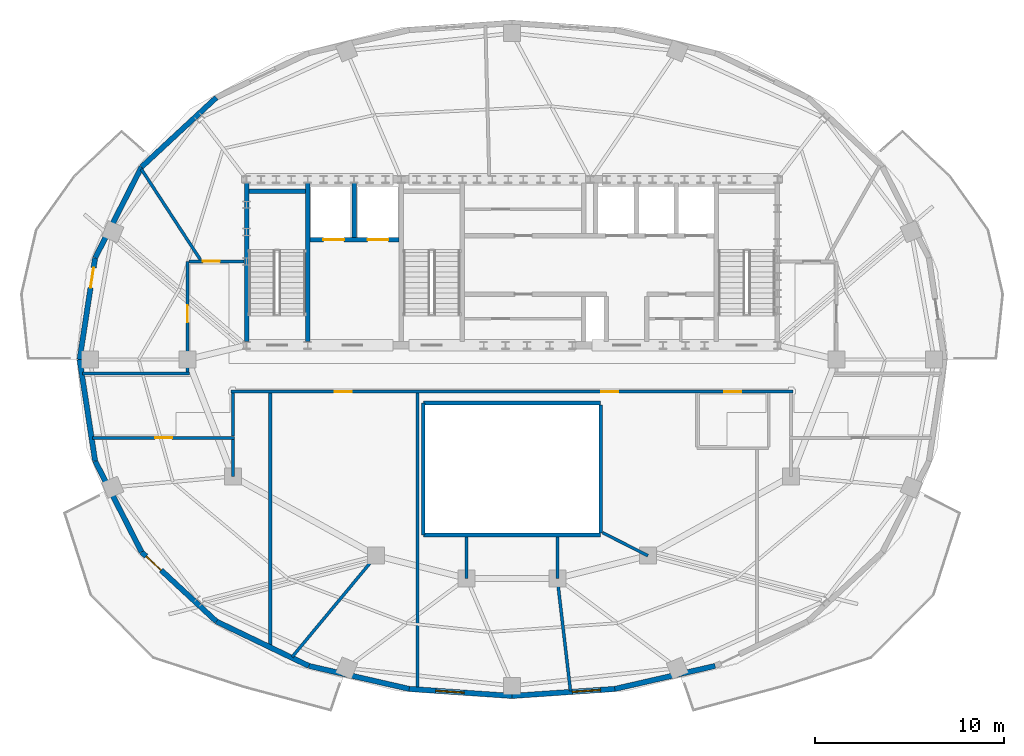
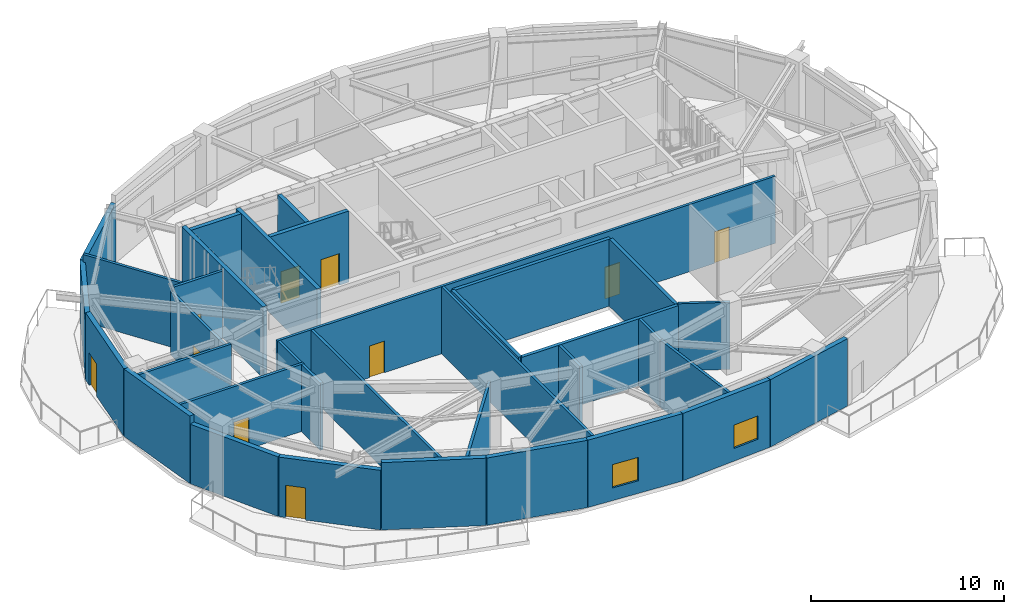
# One storey, part 3 of 9: 35 walls, 10 doors, 2 windows, 12 openings.
"""IFC4 building model written with IfcOpenShell, lengths in metres."""

from ifc_helpers import new_model, si_unit, direction, frame, frame_2d, origin, place, context, subcontext, project, spatial, rectangle, extrude, material, layer, layer_set, type_object, element, fill, save


model = new_model("IFC4")

# Units and contexts
model_context = context("Model", 3, precision=1e-05, world=origin(), true_north=direction((0.0, 1.0)))
body_context = subcontext(model_context, "Body", "Model", "MODEL_VIEW")
ifc_project = project(units=[si_unit("LENGTHUNIT", "METRE"), si_unit("AREAUNIT", "SQUARE_METRE"), si_unit("VOLUMEUNIT", "CUBIC_METRE"), si_unit("PLANEANGLEUNIT", "RADIAN"), si_unit("MASSUNIT", "GRAM", prefix="KILO")], contexts=[model_context])

# Site, building, storey
site_placement = place(None, origin())
site = spatial("IfcSite", under=ifc_project, at=site_placement, CompositionType="ELEMENT")
building_placement = place(site_placement, origin())
building = spatial("IfcBuilding", under=site, at=building_placement, Name="Haldorwick Loom Tower", CompositionType="ELEMENT")
storey_placement = place(building_placement, frame((0.0, 0.0, 277.5)))
storey = spatial("IfcBuildingStorey", under=building, at=storey_placement, Name="L75", CompositionType="ELEMENT", Elevation=277.5)

# Walls
ifc_material_1 = material(Name="Pressed Clay Face Brick and Insulated Masonry Backup Assembly", Category="masonry")
ifc_layer_1 = layer(ifc_material_1, 0.280029296875, Name="Pressed Clay Face Brick and Insulated Masonry Backup Assembly", Category="masonry")
ifc_layer_set_1 = layer_set([ifc_layer_1], Name="Pressed Clay Face Brick and Insulated Masonry Backup Assembly")
wall_type_1 = type_object("IfcWallType", Name="ARC-WL-EXT280", PredefinedType="STANDARD", material=ifc_layer_set_1)
for number, where, z_axis, x_axis, name in (
    (1, (20.3291015625, 39.885009765625, 0.0), (0.0, 0.0, 1.0), (-0.733156506145, -0.680059951399, 0.0), "L75 Brick Pier and Spandrel Wall 10"),
    (2, (16.361328125, 36.20458984375, 0.0), (0.0, 0.0, 1.0), (-0.454417014044, -0.890789075678, 0.0), "L75 Brick Pier and Spandrel Wall 11"),
):
    element("IfcWall", number, at=place(storey_placement, frame(where, z_axis=z_axis, x_axis=x_axis)), inside=storey, type_object=wall_type_1, Name=name, PredefinedType="STANDARD", context=body_context, shape_type="SweptSolid", body=[
        extrude(rectangle(XDim=5.411865234375, YDim=0.280029296875, at=frame_2d((2.7060546875, 0.0))), origin(), (0.0, 0.0, 1.0), 3.76904296875),
    ])

# Wall, opening, door
wall_1_placement = place(storey_placement, frame((13.902099609375, 31.3837890625, 0.0), z_axis=(0.0, 0.0, 1.0), x_axis=(-0.151110573005, -0.988516866182, 0.0)))
wall_1 = element("IfcWall", 3, at=wall_1_placement, inside=storey, type_object=wall_type_1, Name="L75 Brick Pier and Spandrel Wall 12", PredefinedType="STANDARD", context=body_context, shape_type="SweptSolid", body=[
    extrude(rectangle(XDim=5.4462890625, YDim=0.280029296875, at=frame_2d((2.72314453125, 0.0))), origin(), (0.0, 0.0, 1.0), 4.260009765625),
])
opening_1_placement = place(wall_1_placement, frame((0.521240234375, 0.0, 0.0)))
opening_1 = element("IfcOpeningElement", 4, at=opening_1_placement, cuts=wall_1, Name="Opening D-BL11", PredefinedType="OPENING", context=body_context, shape_type="SweptSolid", body=[
    extrude(rectangle(XDim=1.080078125, YDim=2.0400390625, at=frame_2d((0.5400390625, 1.02001953125))), frame((0.0, 0.14990234375, 0.0), z_axis=(0.0, -1.0, 0.0), x_axis=(1.0, 0.0, 0.0)), (0.0, 0.0, 1.0), 0.300048828125),
])
ifc_material_2 = material(Name="Thermally Broken Anodized Aluminium Curtain Wall Framing", Category="aluminium")
door_type_1 = type_object("IfcDoorType", Name="ARC-DR-BAL110", OperationType="NOTDEFINED", PredefinedType="DOOR", material=ifc_material_2)
door_1_placement = place(opening_1_placement, origin())
door_1 = element("IfcDoor", 5, at=door_1_placement, inside=storey, type_object=door_type_1, Name="L75 Outdoor Terrace Door SLB-L75-BAL_WNW", OperationType="SINGLE_SWING_RIGHT", OverallHeight=2.0400390625, OverallWidth=1.080078125, PredefinedType="DOOR", context=body_context, shape_type="SweptSolid", body=[
    extrude(rectangle(XDim=1.080078125, YDim=2.0400390625, at=frame_2d((0.5400390625, 1.02001953125))), frame((0.0, 0.02490234375, 0.0), z_axis=(0.0, -1.0, 0.0), x_axis=(1.0, 0.0, 0.0)), (0.0, 0.0, 1.0), 0.050048828125),
])
fill(opening_1, door_1)

# Walls
wall_2_placement = place(storey_placement, frame((13.0791015625, 26.0, 0.0), z_axis=(0.0, 0.0, 1.0), x_axis=(0.151110573005, -0.988516866182, 0.0)))
element("IfcWall", 6, at=wall_2_placement, inside=storey, type_object=wall_type_1, Name="L75 Brick Pier and Spandrel Wall 13", PredefinedType="STANDARD", context=body_context, shape_type="SweptSolid", body=[
    extrude(rectangle(XDim=5.4462890625, YDim=0.280029296875, at=frame_2d((2.72314453125, 0.0))), origin(), (0.0, 0.0, 1.0), 4.260009765625),
])
wall_3_placement = place(storey_placement, frame((13.902099609375, 20.6162109375, 0.0), z_axis=(0.0, 0.0, 1.0), x_axis=(0.454417014044, -0.890789075678, 0.0)))
element("IfcWall", 7, at=wall_3_placement, inside=storey, type_object=wall_type_1, Name="L75 Brick Pier and Spandrel Wall 14", PredefinedType="STANDARD", context=body_context, shape_type="SweptSolid", body=[
    extrude(rectangle(XDim=5.411865234375, YDim=0.280029296875, at=frame_2d((2.7060546875, 0.0))), origin(), (0.0, 0.0, 1.0), 3.76904296875),
])

# Wall, opening, door
wall_4_placement = place(storey_placement, frame((16.361328125, 15.79541015625, 0.0), z_axis=(0.0, 0.0, 1.0), x_axis=(0.733156506145, -0.680059951399, 0.0)))
wall_4 = element("IfcWall", 8, at=wall_4_placement, inside=storey, type_object=wall_type_1, Name="L75 Brick Pier and Spandrel Wall 15", PredefinedType="STANDARD", context=body_context, shape_type="SweptSolid", body=[
    extrude(rectangle(XDim=5.411865234375, YDim=0.280029296875, at=frame_2d((2.7060546875, 0.0))), origin(), (0.0, 0.0, 1.0), 3.76904296875),
])
opening_2_placement = place(wall_4_placement, frame((0.340087890625, 0.0, 0.0)))
opening_2 = element("IfcOpeningElement", 9, at=opening_2_placement, cuts=wall_4, Name="Opening D-BL11", PredefinedType="OPENING", context=body_context, shape_type="SweptSolid", body=[
    extrude(rectangle(XDim=1.080078125, YDim=2.0400390625, at=frame_2d((0.5400390625, 1.02001953125))), frame((0.0, 0.14990234375, 0.0), z_axis=(0.0, -1.0, 0.0), x_axis=(1.0, 0.0, 0.0)), (0.0, 0.0, 1.0), 0.300048828125),
])
door_2_placement = place(opening_2_placement, origin())
door_2 = element("IfcDoor", 10, at=door_2_placement, inside=storey, type_object=door_type_1, Name="L75 Outdoor Terrace Door SLB-L75-BAL_SW", OperationType="SINGLE_SWING_LEFT", OverallHeight=2.0400390625, OverallWidth=1.080078125, PredefinedType="DOOR", context=body_context, shape_type="SweptSolid", body=[
    extrude(rectangle(XDim=1.080078125, YDim=2.0400390625, at=frame_2d((0.5400390625, 1.02001953125))), frame((0.0, 0.02490234375, 0.0), z_axis=(0.0, -1.0, 0.0), x_axis=(1.0, 0.0, 0.0)), (0.0, 0.0, 1.0), 0.050048828125),
])
fill(opening_2, door_2)

# Walls
wall_5_placement = place(storey_placement, frame((20.3291015625, 12.114990234375, 0.0), z_axis=(0.0, 0.0, 1.0), x_axis=(0.901083511605, -0.433645598518, 0.0)))
element("IfcWall", 11, at=wall_5_placement, inside=storey, type_object=wall_type_1, Name="L75 Brick Pier and Spandrel Wall 16", PredefinedType="STANDARD", context=body_context, shape_type="SweptSolid", body=[
    extrude(rectangle(XDim=5.440185546875, YDim=0.280029296875, at=frame_2d((2.72021484375, 0.0))), origin(), (0.0, 0.0, 1.0), 4.260009765625),
])
wall_6_placement = place(storey_placement, frame((25.231201171875, 9.755859375, 0.0), z_axis=(0.0, 0.0, 1.0), x_axis=(0.974769032237, -0.223215890545, 0.0)))
element("IfcWall", 12, at=wall_6_placement, inside=storey, type_object=wall_type_1, Name="L75 Brick Pier and Spandrel Wall 17", PredefinedType="STANDARD", context=body_context, shape_type="SweptSolid", body=[
    extrude(rectangle(XDim=5.457763671875, YDim=0.280029296875, at=frame_2d((2.72900390625, 0.0))), origin(), (0.0, 0.0, 1.0), 4.260009765625),
])

# Wall, opening, window
wall_7_placement = place(storey_placement, frame((30.55126953125, 8.53759765625, 0.0), z_axis=(0.0, 0.0, 1.0), x_axis=(0.997667530395, -0.068260521503, 0.0)))
wall_7 = element("IfcWall", 13, at=wall_7_placement, inside=storey, type_object=wall_type_1, Name="L75 Brick Pier and Spandrel Wall 18", PredefinedType="STANDARD", context=body_context, shape_type="SweptSolid", body=[
    extrude(rectangle(XDim=5.46142578125, YDim=0.280029296875, at=frame_2d((2.730712890625, 0.0))), origin(), (0.0, 0.0, 1.0), 4.260009765625),
])
opening_3_placement = place(wall_7_placement, frame((1.413818359375, 0.0, 0.800048828125)))
opening_3 = element("IfcOpeningElement", 14, at=opening_3_placement, cuts=wall_7, Name="Opening W-02", PredefinedType="OPENING", context=body_context, shape_type="SweptSolid", body=[
    extrude(rectangle(XDim=1.5, YDim=1.47998046875, at=frame_2d((0.75, 0.739990234375))), frame((0.0, 0.14990234375, 0.0), z_axis=(0.0, -1.0, 0.0), x_axis=(1.0, 0.0, 0.0)), (0.0, 0.0, 1.0), 0.300048828125),
])
ifc_material_3 = material(Name="Triple-Glazed Low-E Argon Insulated Glazing Unit", Category="glass")
window_type = type_object("IfcWindowType", Name="ARC-WIN-W150", PartitioningType="SINGLE_PANEL", PredefinedType="WINDOW", material=ifc_material_3)
window_1_placement = place(opening_3_placement, origin())
window_1 = element("IfcWindow", 15, at=window_1_placement, inside=storey, type_object=window_type, Name="L75 Deep-Set Zone 7A Window 18", OverallHeight=1.47998046875, OverallWidth=1.5, PartitioningType="SINGLE_PANEL", PredefinedType="WINDOW", context=body_context, shape_type="SweptSolid", body=[
    extrude(rectangle(XDim=1.5, YDim=1.47998046875, at=frame_2d((0.75, 0.739990234375))), frame((0.0, 0.030029296875, 0.0), z_axis=(0.0, -1.0, 0.0), x_axis=(1.0, 0.0, 0.0)), (0.0, 0.0, 1.0), 0.06005859375),
])
fill(opening_3, window_1)

wall_8_placement = place(storey_placement, frame((36.0, 8.164794921875, 0.0), z_axis=(0.0, 0.0, 1.0), x_axis=(0.997667530395, 0.068260521503, 0.0)))
wall_8 = element("IfcWall", 16, at=wall_8_placement, inside=storey, type_object=wall_type_1, Name="L75 Brick Pier and Spandrel Wall 19", PredefinedType="STANDARD", context=body_context, shape_type="SweptSolid", body=[
    extrude(rectangle(XDim=5.46142578125, YDim=0.280029296875, at=frame_2d((2.730712890625, 0.0))), origin(), (0.0, 0.0, 1.0), 4.260009765625),
])
opening_4_placement = place(wall_8_placement, frame((3.203857421875, 0.0, 0.800048828125)))
opening_4 = element("IfcOpeningElement", 17, at=opening_4_placement, cuts=wall_8, Name="Opening W-02", PredefinedType="OPENING", context=body_context, shape_type="SweptSolid", body=[
    extrude(rectangle(XDim=1.5, YDim=1.47998046875, at=frame_2d((0.75, 0.739990234375))), frame((0.0, 0.14990234375, 0.0), z_axis=(0.0, -1.0, 0.0), x_axis=(1.0, 0.0, 0.0)), (0.0, 0.0, 1.0), 0.300048828125),
])
window_2_placement = place(opening_4_placement, origin())
window_2 = element("IfcWindow", 18, at=window_2_placement, inside=storey, type_object=window_type, Name="L75 Deep-Set Zone 7A Window 19", OverallHeight=1.47998046875, OverallWidth=1.5, PartitioningType="SINGLE_PANEL", PredefinedType="WINDOW", context=body_context, shape_type="SweptSolid", body=[
    extrude(rectangle(XDim=1.5, YDim=1.47998046875, at=frame_2d((0.75, 0.739990234375))), frame((0.0, 0.030029296875, 0.0), z_axis=(0.0, -1.0, 0.0), x_axis=(1.0, 0.0, 0.0)), (0.0, 0.0, 1.0), 0.06005859375),
])
fill(opening_4, window_2)

# Wall
wall_9_placement = place(storey_placement, frame((41.44873046875, 8.53759765625, 0.0), z_axis=(0.0, 0.0, 1.0), x_axis=(0.974769032237, 0.223215890545, 0.0)))
element("IfcWall", 19, at=wall_9_placement, inside=storey, type_object=wall_type_1, Name="L75 Brick Pier and Spandrel Wall 20", PredefinedType="STANDARD", context=body_context, shape_type="SweptSolid", body=[
    extrude(rectangle(XDim=5.457763671875, YDim=0.280029296875, at=frame_2d((2.72900390625, 0.0))), origin(), (0.0, 0.0, 1.0), 4.260009765625),
])

# Wall, openings, doors
ifc_material_4 = material(Name="Fire-Rated Type X Gypsum Stud Assembly EI 60")
ifc_layer_2 = layer(ifc_material_4, 0.159912109375, Name="Fire-Rated Type X Gypsum Stud Assembly EI 60")
ifc_layer_set_2 = layer_set([ifc_layer_2], Name="Fire-Rated Type X Gypsum Stud Assembly EI 60")
wall_type_2 = type_object("IfcWallType", Name="ARC-WL-FIRE160", PredefinedType="PARTITIONING", material=ifc_layer_set_2)
wall_10_placement = place(storey_placement, frame((21.10009765625, 24.300048828125, 0.0), z_axis=(0.0, 0.0, 1.0), x_axis=(1.0, 0.0, 0.0)))
wall_10 = element("IfcWall", 20, at=wall_10_placement, inside=storey, type_object=wall_type_2, Name="L75 Residential Fire Partition L75-CR-SP", PredefinedType="PARTITIONING", context=body_context, shape_type="SweptSolid", body=[
    extrude(rectangle(XDim=29.7998046875, YDim=0.159912109375, at=frame_2d((14.89990234375, 0.0))), origin(), (0.0, 0.0, 1.0), 4.2451171875),
])
opening_5_placement = place(wall_10_placement, frame((19.639892578125, 0.0, 0.0)))
opening_5 = element("IfcOpeningElement", 21, at=opening_5_placement, cuts=wall_10, Name="Opening D-FD60A", PredefinedType="OPENING", context=body_context, shape_type="SweptSolid", body=[
    extrude(rectangle(XDim=0.89990234375, YDim=2.0, at=frame_2d((0.449951171875, 1.0))), frame((0.0, 0.08984375, 0.0), z_axis=(0.0, -1.0, 0.0), x_axis=(1.0, 0.0, 0.0)), (0.0, 0.0, 1.0), 0.179931640625),
])
opening_6_placement = place(wall_10_placement, frame((5.510009765625, 0.0, 0.0)))
opening_6 = element("IfcOpeningElement", 22, at=opening_6_placement, cuts=wall_10, Name="Opening D-FD60A", PredefinedType="OPENING", context=body_context, shape_type="SweptSolid", body=[
    extrude(rectangle(XDim=0.89990234375, YDim=2.0, at=frame_2d((0.449951171875, 1.0))), frame((0.0, 0.08984375, 0.0), z_axis=(0.0, -1.0, 0.0), x_axis=(1.0, 0.0, 0.0)), (0.0, 0.0, 1.0), 0.179931640625),
])
opening_7_placement = place(wall_10_placement, frame((26.1494140625, 0.0, 0.0)))
opening_7 = element("IfcOpeningElement", 23, at=opening_7_placement, cuts=wall_10, Name="Opening D-FD60A", PredefinedType="OPENING", context=body_context, shape_type="SweptSolid", body=[
    extrude(rectangle(XDim=0.89990234375, YDim=2.0, at=frame_2d((0.449951171875, 1.0))), frame((0.0, 0.08984375, 0.0), z_axis=(0.0, -1.0, 0.0), x_axis=(1.0, 0.0, 0.0)), (0.0, 0.0, 1.0), 0.179931640625),
])
ifc_material_5 = material(Name="Hollow Steel Fire Door Assembly", Category="steel")
door_type_2 = type_object("IfcDoorType", Name="ARC-DR-FD60-90", OperationType="NOTDEFINED", PredefinedType="DOOR", material=ifc_material_5)
door_3_placement = place(opening_5_placement, origin())
door_3 = element("IfcDoor", 24, at=door_3_placement, inside=storey, type_object=door_type_2, Name="L75 L75 Central Residential Corridor to Co-Working Open Office 5 Door", OperationType="SINGLE_SWING_LEFT", OverallHeight=2.0, OverallWidth=0.89990234375, PredefinedType="DOOR", context=body_context, shape_type="SweptSolid", body=[
    extrude(rectangle(XDim=0.89990234375, YDim=2.0, at=frame_2d((0.449951171875, 1.0))), frame((0.0, 0.02490234375, 0.0), z_axis=(0.0, -1.0, 0.0), x_axis=(1.0, 0.0, 0.0)), (0.0, 0.0, 1.0), 0.050048828125),
])
fill(opening_5, door_3)
door_4_placement = place(opening_6_placement, origin())
door_4 = element("IfcDoor", 25, at=door_4_placement, inside=storey, type_object=door_type_2, Name="L75 L75 Central Residential Corridor to Co-Working Open Office 2 Door", OperationType="SINGLE_SWING_RIGHT", OverallHeight=2.0, OverallWidth=0.89990234375, PredefinedType="DOOR", context=body_context, shape_type="SweptSolid", body=[
    extrude(rectangle(XDim=0.89990234375, YDim=2.0, at=frame_2d((0.449951171875, 1.0))), frame((0.0, 0.02490234375, 0.0), z_axis=(0.0, -1.0, 0.0), x_axis=(1.0, 0.0, 0.0)), (0.0, 0.0, 1.0), 0.050048828125),
])
fill(opening_6, door_4)
door_5_placement = place(opening_7_placement, origin())
door_5 = element("IfcDoor", 26, at=door_5_placement, inside=storey, type_object=door_type_2, Name="L75 L75 Central Residential Corridor to Common Accessible WC Door", OperationType="SINGLE_SWING_LEFT", OverallHeight=2.0, OverallWidth=0.89990234375, PredefinedType="DOOR", context=body_context, shape_type="SweptSolid", body=[
    extrude(rectangle(XDim=0.89990234375, YDim=2.0, at=frame_2d((0.449951171875, 1.0))), frame((0.0, 0.02490234375, 0.0), z_axis=(0.0, -1.0, 0.0), x_axis=(1.0, 0.0, 0.0)), (0.0, 0.0, 1.0), 0.050048828125),
])
fill(opening_7, door_5)

# Wall, opening, door
wall_11_placement = place(storey_placement, frame((13.759033203125, 21.85009765625, 0.0), z_axis=(0.0, 0.0, 1.0), x_axis=(1.0, 0.0, 0.0)))
wall_11 = element("IfcWall", 27, at=wall_11_placement, inside=storey, type_object=wall_type_2, Name="L75 Residential Fire Partition L75-CR-SPW", PredefinedType="PARTITIONING", context=body_context, shape_type="SweptSolid", body=[
    extrude(rectangle(XDim=7.541015625, YDim=0.159912109375, at=frame_2d((3.7705078125, 0.0))), origin(), (0.0, 0.0, 1.0), 4.2451171875),
])
opening_8_placement = place(wall_11_placement, frame((3.3203125, 0.0, 0.0)))
opening_8 = element("IfcOpeningElement", 28, at=opening_8_placement, cuts=wall_11, Name="Opening D-FD60A", PredefinedType="OPENING", context=body_context, shape_type="SweptSolid", body=[
    extrude(rectangle(XDim=0.89990234375, YDim=2.0, at=frame_2d((0.449951171875, 1.0))), frame((0.0, 0.08984375, 0.0), z_axis=(0.0, -1.0, 0.0), x_axis=(1.0, 0.0, 0.0)), (0.0, 0.0, 1.0), 0.179931640625),
])
door_6_placement = place(opening_8_placement, origin())
door_6 = element("IfcDoor", 29, at=door_6_placement, inside=storey, type_object=door_type_2, Name="L75 L75 Central Residential Corridor to Resident Study Room 2 Door", OperationType="SINGLE_SWING_LEFT", OverallHeight=2.0, OverallWidth=0.89990234375, PredefinedType="DOOR", context=body_context, shape_type="SweptSolid", body=[
    extrude(rectangle(XDim=0.89990234375, YDim=2.0, at=frame_2d((0.449951171875, 1.0))), frame((0.0, 0.02490234375, 0.0), z_axis=(0.0, -1.0, 0.0), x_axis=(1.0, 0.0, 0.0)), (0.0, 0.0, 1.0), 0.050048828125),
])
fill(opening_8, door_6)

# Walls
wall_12_placement = place(storey_placement, frame((21.199951171875, 21.93310546875, 0.0), z_axis=(0.0, 0.0, 1.0), x_axis=(0.0, 1.0, 0.0)))
element("IfcWall", 30, at=wall_12_placement, inside=storey, type_object=wall_type_2, Name="L75 Residential Fire Partition L75-CR-STW", PredefinedType="PARTITIONING", context=body_context, shape_type="SweptSolid", body=[
    extrude(rectangle(XDim=2.283935546875, YDim=0.159912109375, at=frame_2d((1.14208984375, 0.0))), origin(), (0.0, 0.0, 1.0), 4.2451171875),
])
wall_13_placement = place(storey_placement, frame((13.239501953125, 25.25, 0.0), z_axis=(0.0, 0.0, 1.0), x_axis=(1.0, 0.0, 0.0)))
element("IfcWall", 31, at=wall_13_placement, inside=storey, type_object=wall_type_2, Name="L75 Residential Fire Partition L75-CR-NWL", PredefinedType="PARTITIONING", context=body_context, shape_type="SweptSolid", body=[
    extrude(rectangle(XDim=5.660400390625, YDim=0.159912109375, at=frame_2d((2.830078125, 0.0))), origin(), (0.0, 0.0, 1.0), 4.2451171875),
])

# Wall, opening, door
wall_14_placement = place(storey_placement, frame((18.800048828125, 25.3330078125, 0.0), z_axis=(0.0, 0.0, 1.0), x_axis=(0.0, 1.0, 0.0)))
wall_14 = element("IfcWall", 32, at=wall_14_placement, inside=storey, type_object=wall_type_2, Name="L75 Residential Fire Partition L75-CR-W0", PredefinedType="PARTITIONING", context=body_context, shape_type="SweptSolid", body=[
    extrude(rectangle(XDim=5.866943359375, YDim=0.159912109375, at=frame_2d((2.93359375, 0.0))), origin(), (0.0, 0.0, 1.0), 3.97705078125),
])
opening_9_placement = place(wall_14_placement, frame((2.634521484375, 0.0, 0.0)))
opening_9 = element("IfcOpeningElement", 33, at=opening_9_placement, cuts=wall_14, Name="Opening D-FD60A", PredefinedType="OPENING", context=body_context, shape_type="SweptSolid", body=[
    extrude(rectangle(XDim=0.89990234375, YDim=2.0, at=frame_2d((0.449951171875, 1.0))), frame((0.0, 0.08984375, 0.0), z_axis=(0.0, -1.0, 0.0), x_axis=(1.0, 0.0, 0.0)), (0.0, 0.0, 1.0), 0.179931640625),
])
door_7_placement = place(opening_9_placement, frame((0.89990234375, 0.0, 0.0), z_axis=(0.0, 0.0, 1.0), x_axis=(-1.0, 0.0, 0.0)))
door_7 = element("IfcDoor", 34, at=door_7_placement, inside=storey, type_object=door_type_2, Name="L75 Quiet Study Room 3 to L75 Central Residential Corridor Door", OperationType="SINGLE_SWING_LEFT", OverallHeight=2.0, OverallWidth=0.89990234375, PredefinedType="DOOR", context=body_context, shape_type="SweptSolid", body=[
    extrude(rectangle(XDim=0.89990234375, YDim=2.0, at=frame_2d((0.449951171875, 1.0))), frame((0.0, 0.02490234375, 0.0), z_axis=(0.0, -1.0, 0.0), x_axis=(1.0, 0.0, 0.0)), (0.0, 0.0, 1.0), 0.050048828125),
])
fill(opening_9, door_7)

wall_15_placement = place(storey_placement, frame((18.883056640625, 31.199951171875, 0.0), z_axis=(0.0, 0.0, 1.0), x_axis=(1.0, 0.0, 0.0)))
wall_15 = element("IfcWall", 35, at=wall_15_placement, inside=storey, type_object=wall_type_2, Name="L75 Residential Fire Partition L75-CR-WNJ", PredefinedType="PARTITIONING", context=body_context, shape_type="SweptSolid", body=[
    extrude(rectangle(XDim=2.923828125, YDim=0.159912109375, at=frame_2d((1.4619140625, 0.0))), origin(), (0.0, 0.0, 1.0), 4.2451171875),
])
opening_10_placement = place(wall_15_placement, frame((0.732666015625, 0.0, 0.0)))
opening_10 = element("IfcOpeningElement", 36, at=opening_10_placement, cuts=wall_15, Name="Opening D-FD60A", PredefinedType="OPENING", context=body_context, shape_type="SweptSolid", body=[
    extrude(rectangle(XDim=0.89990234375, YDim=2.0, at=frame_2d((0.449951171875, 1.0))), frame((0.0, 0.08984375, 0.0), z_axis=(0.0, -1.0, 0.0), x_axis=(1.0, 0.0, 0.0)), (0.0, 0.0, 1.0), 0.179931640625),
])
door_8_placement = place(opening_10_placement, frame((0.89990234375, 0.0, 0.0), z_axis=(0.0, 0.0, 1.0), x_axis=(-1.0, 0.0, 0.0)))
door_8 = element("IfcDoor", 37, at=door_8_placement, inside=storey, type_object=door_type_2, Name="L75 Co-Working Open Office 3 to L75 Central Residential Corridor Door", OperationType="SINGLE_SWING_LEFT", OverallHeight=2.0, OverallWidth=0.89990234375, PredefinedType="DOOR", context=body_context, shape_type="SweptSolid", body=[
    extrude(rectangle(XDim=0.89990234375, YDim=2.0, at=frame_2d((0.449951171875, 1.0))), frame((0.0, 0.02490234375, 0.0), z_axis=(0.0, -1.0, 0.0), x_axis=(1.0, 0.0, 0.0)), (0.0, 0.0, 1.0), 0.050048828125),
])
fill(opening_10, door_8)

# Walls
wall_16_placement = place(storey_placement, frame((38.39990234375, 14.39990234375, 0.0), z_axis=(0.0, 0.0, 1.0), x_axis=(0.11649762977, -0.993190969682, 0.0)))
element("IfcWall", 38, at=wall_16_placement, inside=storey, type_object=wall_type_2, Name="L75 Residential Fire Partition L75-ICR-04", PredefinedType="PARTITIONING", context=body_context, shape_type="SweptSolid", body=[
    extrude(rectangle(XDim=6.018798828125, YDim=0.159912109375, at=frame_2d((3.00927734375, 0.0))), origin(), (0.0, 0.0, 1.0), 4.2451171875),
])
wall_17_placement = place(storey_placement, frame((28.800048828125, 15.60009765625, 0.0), z_axis=(0.0, 0.0, 1.0), x_axis=(-0.638702992359, -0.769453369316, 0.0)))
element("IfcWall", 39, at=wall_17_placement, inside=storey, type_object=wall_type_2, Name="L75 Residential Fire Partition L75-ICR-07", PredefinedType="PARTITIONING", context=body_context, shape_type="SweptSolid", body=[
    extrude(rectangle(XDim=6.97607421875, YDim=0.159912109375, at=frame_2d((3.488037109375, 0.0))), origin(), (0.0, 0.0, 1.0), 4.2451171875),
])
wall_18_placement = place(storey_placement, frame((31.0, 8.552001953125, 0.0), z_axis=(0.0, 0.0, 1.0), x_axis=(0.0, 1.0, 0.0)))
element("IfcWall", 40, at=wall_18_placement, inside=storey, type_object=wall_type_2, Name="L75 Residential Fire Partition L75-SBP-0", PredefinedType="PARTITIONING", context=body_context, shape_type="SweptSolid", body=[
    extrude(rectangle(XDim=15.6650390625, YDim=0.159912109375, at=frame_2d((7.83251953125, 0.0))), origin(), (0.0, 0.0, 1.0), 4.2451171875),
])
wall_19_placement = place(storey_placement, frame((40.802978515625, 16.822021484375, 0.0), z_axis=(0.0, 0.0, 1.0), x_axis=(0.890915506237, -0.454169088278, 0.0)))
element("IfcWall", 41, at=wall_19_placement, inside=storey, type_object=wall_type_2, Name="L75 Residential Fire Partition L75-ICA-02", PredefinedType="PARTITIONING", context=body_context, shape_type="SweptSolid", body=[
    extrude(rectangle(XDim=2.6904296875, YDim=0.159912109375, at=frame_2d((1.34521484375, 0.0))), origin(), (0.0, 0.0, 1.0), 4.2451171875),
])
for number, where, z_axis, x_axis, name in (
    (42, (38.39990234375, 16.596923828125, 0.0), (0.0, 0.0, 1.0), (0.0, -1.0, 0.0), "L75 Residential Fire Partition L75-ICA-03"),
    (43, (33.60009765625, 16.596923828125, 0.0), (0.0, 0.0, 1.0), (0.0, -1.0, 0.0), "L75 Residential Fire Partition L75-ICA-05"),
):
    element("IfcWall", number, at=place(storey_placement, frame(where, z_axis=z_axis, x_axis=x_axis)), inside=storey, type_object=wall_type_2, Name=name, PredefinedType="PARTITIONING", context=body_context, shape_type="SweptSolid", body=[
        extrude(rectangle(XDim=2.197021484375, YDim=0.159912109375, at=frame_2d((1.0986328125, 0.0))), origin(), (0.0, 0.0, 1.0), 4.2451171875),
    ])
wall_20_placement = place(storey_placement, frame((21.199951171875, 21.76708984375, 0.0), z_axis=(0.0, 0.0, 1.0), x_axis=(0.0, -1.0, 0.0)))
element("IfcWall", 44, at=wall_20_placement, inside=storey, type_object=wall_type_2, Name="L75 Residential Fire Partition L75-ICA-08", PredefinedType="PARTITIONING", context=body_context, shape_type="SweptSolid", body=[
    extrude(rectangle(XDim=1.967041015625, YDim=0.159912109375, at=frame_2d((0.9833984375, 0.0))), origin(), (0.0, 0.0, 1.0), 4.2451171875),
])
wall_21_placement = place(storey_placement, frame((23.185791015625, 10.790283203125, 0.0), z_axis=(0.0, 0.0, 1.0), x_axis=(0.0, 1.0, 0.0)))
element("IfcWall", 45, at=wall_21_placement, inside=storey, type_object=wall_type_2, Name="L75 Suite Split Wall", PredefinedType="PARTITIONING", context=body_context, shape_type="SweptSolid", body=[
    extrude(rectangle(XDim=13.4267578125, YDim=0.159912109375, at=frame_2d((6.71337890625, 0.0))), origin(), (0.0, 0.0, 1.0), 4.2451171875),
])
wall_22_placement = place(storey_placement, frame((16.352294921875, 36.087646484375, 0.0), z_axis=(0.0, 0.0, 1.0), x_axis=(0.546304131278, -0.837586888716, 0.0)))
element("IfcWall", 46, at=wall_22_placement, inside=storey, type_object=wall_type_2, Name="L75 Suite Split Wall", PredefinedType="PARTITIONING", context=body_context, shape_type="SweptSolid", body=[
    extrude(rectangle(XDim=5.736328125, YDim=0.159912109375, at=frame_2d((2.8681640625, 0.0))), origin(), (0.0, 0.0, 1.0), 4.2451171875),
])
ifc_material_6 = material(Name="Fire-Rated Type X Gypsum Stud Assembly EI 120")
ifc_layer_3 = layer(ifc_material_6, 0.199951171875, Name="Fire-Rated Type X Gypsum Stud Assembly EI 120")
ifc_layer_set_3 = layer_set([ifc_layer_3], Name="Fire-Rated Type X Gypsum Stud Assembly EI 120")
wall_type_3 = type_object("IfcWallType", Name="ARC-WL-FIRE200", PredefinedType="PARTITIONING", material=ifc_layer_set_3)
for number, where, z_axis, x_axis, name in (
    (47, (31.300048828125, 23.699951171875, 0.0), (0.0, 0.0, 1.0), (1.0, 0.0, 0.0), "L75 Atrium Fire Enclosure Wall N"),
    (48, (40.699951171875, 16.699951171875, 0.0), (0.0, 0.0, 1.0), (-1.0, 0.0, 0.0), "L75 Atrium Fire Enclosure Wall S"),
):
    element("IfcWall", number, at=place(storey_placement, frame(where, z_axis=z_axis, x_axis=x_axis)), inside=storey, type_object=wall_type_3, Name=name, PredefinedType="PARTITIONING", context=body_context, shape_type="SweptSolid", body=[
        extrude(rectangle(XDim=9.39990234375, YDim=0.199951171875, at=frame_2d((4.699951171875, 0.0))), origin(), (0.0, 0.0, 1.0), 4.2451171875),
    ])
wall_23_placement = place(storey_placement, frame((31.300048828125, 16.699951171875, 0.0), z_axis=(0.0, 0.0, 1.0), x_axis=(0.0, 1.0, 0.0)))
element("IfcWall", 49, at=wall_23_placement, inside=storey, type_object=wall_type_3, Name="L75 Atrium Fire Enclosure Wall W", PredefinedType="PARTITIONING", context=body_context, shape_type="SweptSolid", body=[
    extrude(rectangle(XDim=7.0, YDim=0.199951171875, at=frame_2d((3.5, 0.0))), origin(), (0.0, 0.0, 1.0), 4.2451171875),
])
wall_24_placement = place(storey_placement, frame((40.699951171875, 23.596923828125, 0.0), z_axis=(0.0, 0.0, 1.0), x_axis=(0.0, -1.0, 0.0)))
element("IfcWall", 50, at=wall_24_placement, inside=storey, type_object=wall_type_3, Name="L75 Atrium Fire Enclosure Wall E", PredefinedType="PARTITIONING", context=body_context, shape_type="SweptSolid", body=[
    extrude(rectangle(XDim=6.7939453125, YDim=0.199951171875, at=frame_2d((3.39697265625, 0.0))), origin(), (0.0, 0.0, 1.0), 4.2451171875),
])
ifc_material_7 = material(Name="Concrete C50 (50 MPa)", Category="concrete")
ifc_layer_4 = layer(ifc_material_7, 0.239990234375, Name="Concrete C50 (50 MPa)", Category="concrete")
ifc_layer_set_4 = layer_set([ifc_layer_4], Name="Concrete C50 (50 MPa)")
wall_type_4 = type_object("IfcWallType", Name="STR-WL-SHAFT240", PredefinedType="SHEAR", material=ifc_layer_set_4)
for number, where, z_axis, x_axis, name in (
    (51, (21.929931640625, 35.346923828125, 0.0), (0.0, 0.0, 1.0), (0.0, -1.0, 0.0), "L75 Core Shear Wall W"),
    (52, (25.169921875, 26.952880859375, 0.0), (0.0, 0.0, 1.0), (0.0, 1.0, 0.0), "L75 Core Shear Wall 1"),
):
    element("IfcWall", number, at=place(storey_placement, frame(where, z_axis=z_axis, x_axis=x_axis)), inside=storey, type_object=wall_type_4, Name=name, PredefinedType="SHEAR", context=body_context, shape_type="SweptSolid", body=[
        extrude(rectangle(XDim=8.39404296875, YDim=0.239990234375, at=frame_2d((4.197021484375, 0.0))), origin(), (0.0, 0.0, 1.0), 4.5),
    ])
wall_25_placement = place(storey_placement, frame((22.052978515625, 34.919921875, 0.0), z_axis=(0.0, 0.0, 1.0), x_axis=(1.0, 0.0, 0.0)))
element("IfcWall", 53, at=wall_25_placement, inside=storey, type_object=wall_type_4, Name="L75 Core Shear Wall 1N", PredefinedType="SHEAR", context=body_context, shape_type="SweptSolid", body=[
    extrude(rectangle(XDim=2.994140625, YDim=0.239990234375, at=frame_2d((1.4970703125, 0.0))), origin(), (0.0, 0.0, 1.0), 4.5),
])

# Wall, openings, doors
wall_26_placement = place(storey_placement, frame((25.29296875, 32.35009765625, 0.0), z_axis=(0.0, 0.0, 1.0), x_axis=(1.0, 0.0, 0.0)))
wall_26 = element("IfcWall", 54, at=wall_26_placement, inside=storey, type_object=wall_type_4, Name="L75 Core Shear Wall FF", PredefinedType="SHEAR", context=body_context, shape_type="SweptSolid", body=[
    extrude(rectangle(XDim=4.714111328125, YDim=0.239990234375, at=frame_2d((2.35693359375, 0.0))), origin(), (0.0, 0.0, 1.0), 4.5),
])
opening_11_placement = place(wall_26_placement, frame((0.70703125, 0.0, 0.0)))
opening_11 = element("IfcOpeningElement", 55, at=opening_11_placement, cuts=wall_26, Name="Opening LD-FF1", PredefinedType="OPENING", context=body_context, shape_type="SweptSolid", body=[
    extrude(rectangle(XDim=1.10009765625, YDim=2.0, at=frame_2d((0.550048828125, 1.0))), frame((0.0, 0.1298828125, 0.0), z_axis=(0.0, -1.0, 0.0), x_axis=(1.0, 0.0, 0.0)), (0.0, 0.0, 1.0), 0.260009765625),
])
opening_12_placement = place(wall_26_placement, frame((3.056884765625, 0.0, 0.0)))
opening_12 = element("IfcOpeningElement", 56, at=opening_12_placement, cuts=wall_26, Name="Opening LD-FF2", PredefinedType="OPENING", context=body_context, shape_type="SweptSolid", body=[
    extrude(rectangle(XDim=1.10009765625, YDim=2.0, at=frame_2d((0.550048828125, 1.0))), frame((0.0, 0.1298828125, 0.0), z_axis=(0.0, -1.0, 0.0), x_axis=(1.0, 0.0, 0.0)), (0.0, 0.0, 1.0), 0.260009765625),
])
door_type_3 = type_object("IfcDoorType", Name="ARC-DR-LD-FF", OperationType="NOTDEFINED", PredefinedType="USERDEFINED", material=ifc_material_5)
door_9_placement = place(opening_11_placement, origin())
door_9 = element("IfcDoor", 57, at=door_9_placement, inside=storey, type_object=door_type_3, Name="L75 Lift LF-FF1 Sliding Landing Door", ObjectType="LANDING DOOR", OperationType="DOUBLE_DOOR_SLIDING", OverallHeight=2.0, OverallWidth=1.10009765625, PredefinedType="USERDEFINED", context=body_context, shape_type="SweptSolid", body=[
    extrude(rectangle(XDim=1.10009765625, YDim=2.0, at=frame_2d((0.550048828125, 1.0))), frame((0.0, 0.02490234375, 0.0), z_axis=(0.0, -1.0, 0.0), x_axis=(1.0, 0.0, 0.0)), (0.0, 0.0, 1.0), 0.050048828125),
])
fill(opening_11, door_9)
door_10_placement = place(opening_12_placement, origin())
door_10 = element("IfcDoor", 58, at=door_10_placement, inside=storey, type_object=door_type_3, Name="L75 Lift LF-FF2 Sliding Landing Door", ObjectType="LANDING DOOR", OperationType="DOUBLE_DOOR_SLIDING", OverallHeight=2.0, OverallWidth=1.10009765625, PredefinedType="USERDEFINED", context=body_context, shape_type="SweptSolid", body=[
    extrude(rectangle(XDim=1.10009765625, YDim=2.0, at=frame_2d((0.550048828125, 1.0))), frame((0.0, 0.02490234375, 0.0), z_axis=(0.0, -1.0, 0.0), x_axis=(1.0, 0.0, 0.0)), (0.0, 0.0, 1.0), 0.050048828125),
])
fill(opening_12, door_10)

# Wall
wall_27_placement = place(storey_placement, frame((27.64990234375, 32.472900390625, 0.0), z_axis=(0.0, 0.0, 1.0), x_axis=(0.0, 1.0, 0.0)))
element("IfcWall", 59, at=wall_27_placement, inside=storey, type_object=wall_type_4, Name="L75 Core Shear Wall FFD", PredefinedType="SHEAR", context=body_context, shape_type="SweptSolid", body=[
    extrude(rectangle(XDim=2.8740234375, YDim=0.239990234375, at=frame_2d((1.43701171875, 0.0))), origin(), (0.0, 0.0, 1.0), 4.5),
])

save(model, "model.ifc")
